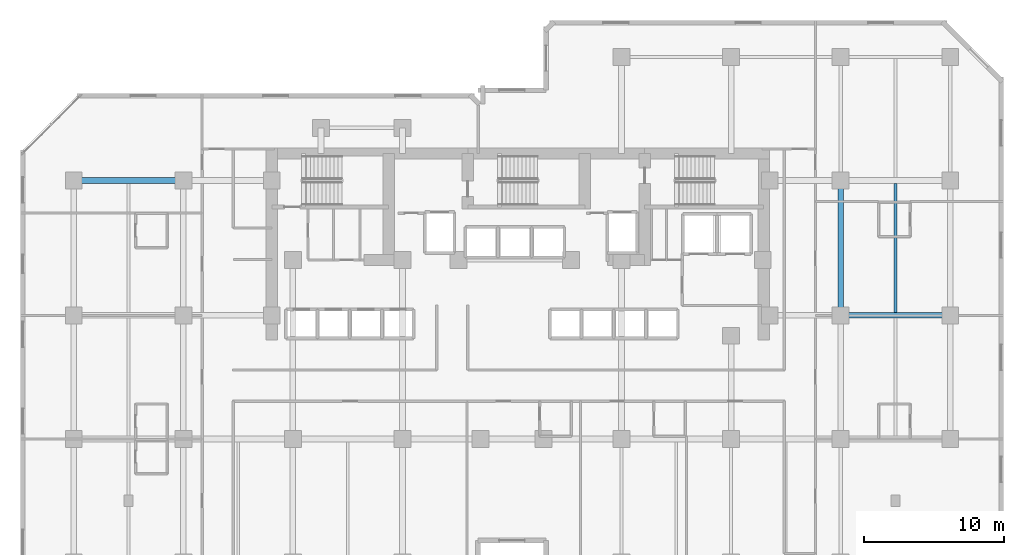
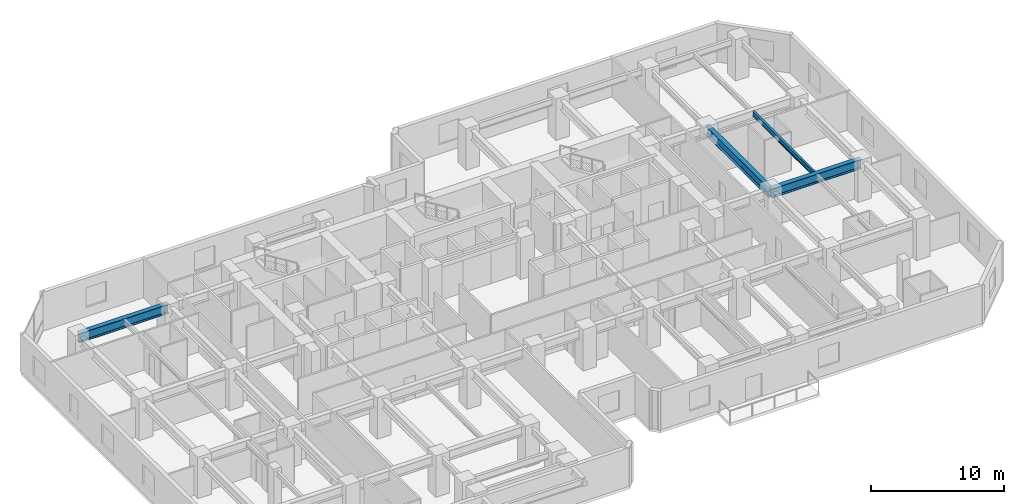
# One storey, part 2 of 12: 4 beams.
"""IFC4 building model written with IfcOpenShell, lengths in metres."""

from ifc_helpers import new_model, si_unit, direction, frame, origin, origin_2d, place, context, subcontext, project, spatial, i_section, extrude, material, material_profile, profile_set, type_object, element, save


model = new_model("IFC4")

# Units and contexts
model_context = context("Model", 3, precision=1e-05, world=origin(), true_north=direction((0.0, 1.0)))
body_context = subcontext(model_context, "Body", "Model", "MODEL_VIEW")
ifc_project = project(units=[si_unit("LENGTHUNIT", "METRE"), si_unit("AREAUNIT", "SQUARE_METRE"), si_unit("VOLUMEUNIT", "CUBIC_METRE"), si_unit("PLANEANGLEUNIT", "RADIAN"), si_unit("MASSUNIT", "GRAM", prefix="KILO")], contexts=[model_context])

# Site, building, storey
site_placement = place(None, origin())
site = spatial("IfcSite", under=ifc_project, at=site_placement, CompositionType="ELEMENT")
building_placement = place(site_placement, origin())
building = spatial("IfcBuilding", under=site, at=building_placement, Name="Kestravale Grand Hotel", CompositionType="ELEMENT")
storey_placement = place(building_placement, frame((0.0, 0.0, 91.800048828125)))
storey = spatial("IfcBuildingStorey", under=building, at=storey_placement, Name="L22", CompositionType="ELEMENT", Elevation=91.800048828125)

# Beams
ifc_material_1 = material(Name="Steel ASTM A992 Grade 50", Category="steel")
ifc_material_profile_1 = material_profile(ifc_material_1, i_section(OverallWidth=0.19091796875, OverallDepth=0.45703125, WebThickness=0.009033203125, FlangeThickness=0.014404296875, FilletRadius=0.015380859375, at=origin_2d()))
ifc_profile_set_1 = profile_set([ifc_material_profile_1], Name="Steel ASTM A992 Grade 50")
beam_type_1 = type_object("IfcBeamType", Name="B-FLR-JST18", PredefinedType="JOIST", material=ifc_profile_set_1)
beam_1_placement = place(storey_placement, frame((66.300048828125, 29.00048828125, 3.3115234375), z_axis=(0.0, 1.0, 0.0), x_axis=(-1.0, 0.0, 0.0)))
element("IfcBeam", 1, at=beam_1_placement, inside=storey, type_object=beam_type_1, Name="L22 floor joist 10-11/E-F #1", PredefinedType="JOIST", context=body_context, shape_type="SweptSolid", body=[
    extrude(i_section(OverallWidth=0.19091796875, OverallDepth=0.45703125, WebThickness=0.009033203125, FlangeThickness=0.014404296875, FilletRadius=0.015380859375, at=origin_2d()), origin(), (0.0, 0.0, 1.0), 9.198974609375),
])
ifc_material_2 = material(Name="Steel ASTM A992 Grade 50", Category="steel")
ifc_material_profile_2 = material_profile(ifc_material_2, i_section(OverallWidth=0.40087890625, OverallDepth=0.861083984375, WebThickness=0.019775390625, FlangeThickness=0.032470703125, FilletRadius=0.0234375, at=origin_2d()))
ifc_profile_set_2 = profile_set([ifc_material_profile_2], Name="Steel ASTM A992 Grade 50")
beam_type_2 = type_object("IfcBeamType", Name="B-GRD-W33", PredefinedType="BEAM", material=ifc_profile_set_2)
for number, where, z_axis, x_axis, name in (
    (2, (62.39990234375, 28.800048828125, 3.109375), (1.0, 0.0, 0.0), (0.0, 1.0, 0.0), "L22 girder E:10-11"),
    (3, (7.800048828125, 38.39990234375, 3.109375), (1.0, 0.0, 0.0), (0.0, 1.0, 0.0), "L22 girder F:2-3"),
):
    element("IfcBeam", number, at=place(storey_placement, frame(where, z_axis=z_axis, x_axis=x_axis)), inside=storey, type_object=beam_type_2, Name=name, PredefinedType="BEAM", context=body_context, shape_type="SweptSolid", body=[
        extrude(i_section(OverallWidth=0.40087890625, OverallDepth=0.861083984375, WebThickness=0.019775390625, FlangeThickness=0.032470703125, FilletRadius=0.0234375, at=origin_2d()), origin(), (0.0, 0.0, 1.0), 7.800048828125),
    ])
beam_2_placement = place(storey_placement, frame((62.39990234375, 28.800048828125, 3.109375), z_axis=(0.0, 1.0, 0.0), x_axis=(-1.0, 0.0, 0.0)))
element("IfcBeam", 4, at=beam_2_placement, inside=storey, type_object=beam_type_2, Name="L22 girder 10:E-F", PredefinedType="BEAM", context=body_context, shape_type="SweptSolid", body=[
    extrude(i_section(OverallWidth=0.40087890625, OverallDepth=0.861083984375, WebThickness=0.019775390625, FlangeThickness=0.032470703125, FilletRadius=0.0234375, at=origin_2d()), origin(), (0.0, 0.0, 1.0), 9.599853515625),
])

save(model, "model.ifc")
